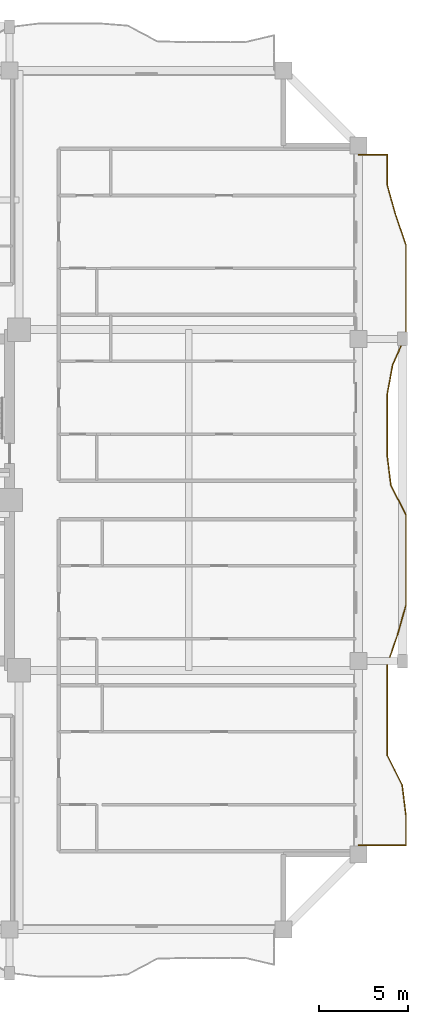
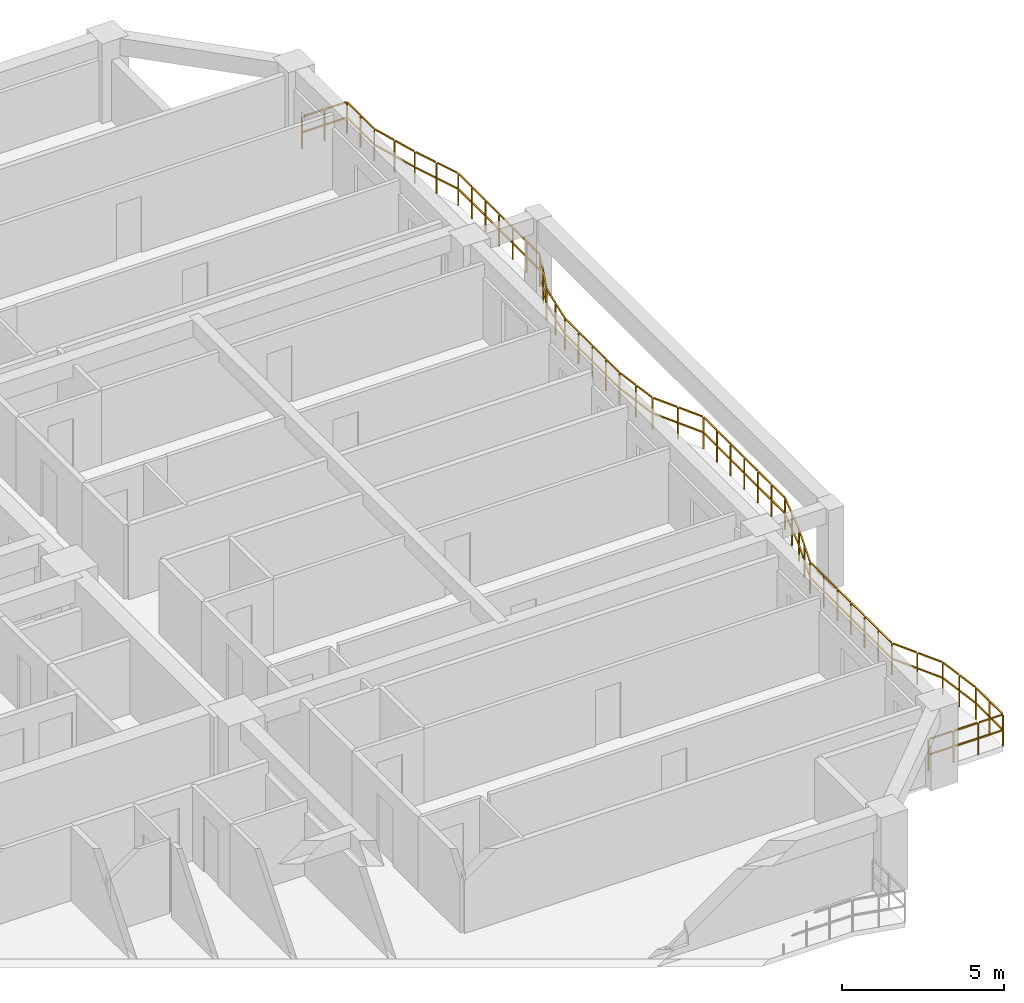
# One storey, part 11 of 12: 1 railing.
"""IFC4 building model written with IfcOpenShell, lengths in metres."""

from ifc_helpers import new_model, si_unit, direction, frame, origin, origin_2d, place, context, subcontext, project, spatial, rectangle, extrude, material, type_object, element, save


model = new_model("IFC4")

# Units and contexts
model_context = context("Model", 3, precision=1e-05, world=origin(), true_north=direction((0.0, 1.0)))
body_context = subcontext(model_context, "Body", "Model", "MODEL_VIEW")
ifc_project = project(units=[si_unit("LENGTHUNIT", "METRE"), si_unit("AREAUNIT", "SQUARE_METRE"), si_unit("VOLUMEUNIT", "CUBIC_METRE"), si_unit("PLANEANGLEUNIT", "RADIAN"), si_unit("MASSUNIT", "GRAM", prefix="KILO")], contexts=[model_context])

# Site, building, storey
site_placement = place(None, origin())
site = spatial("IfcSite", under=ifc_project, at=site_placement, CompositionType="ELEMENT")
building_placement = place(site_placement, origin())
building = spatial("IfcBuilding", under=site, at=building_placement, Name="Saelheon Loggia Tower", CompositionType="ELEMENT")
storey_placement = place(building_placement, frame((0.0, 0.0, 95.85009765625)))
storey = spatial("IfcBuildingStorey", under=building, at=storey_placement, Name="L30", CompositionType="ELEMENT", Elevation=95.85009765625)

# Railing
ifc_material = material(Name="Architectural Precast Concrete and Laminated Glass Guard", Category="concrete")
railing_type = type_object("IfcRailingType", Name="Guard_Loggia_RL_LOG", PredefinedType="BALUSTRADE", material=ifc_material)
railing_placement = place(storey_placement, frame((64.0, 7.699951171875, 0.0)))
element("IfcRailing", 1, at=railing_placement, inside=storey, type_object=railing_type, Name="L30 East Loggia Balustrade", PredefinedType="BALUSTRADE", context=body_context, shape_type="SweptSolid", body=[
    extrude(rectangle(XDim=0.048095703125, YDim=0.048095703125, at=origin_2d()), frame((0.033203125, 0.0, 1.19580078125), z_axis=(1.0, 0.0, 0.0), x_axis=(0.0, 1.0, 0.0)), (0.0, 0.0, 1.0), 0.81689453125),
    extrude(rectangle(XDim=0.048095703125, YDim=0.048095703125, at=origin_2d()), frame((0.033203125, 0.0, 0.60986328125), z_axis=(1.0, 0.0, 0.0), x_axis=(0.0, 1.0, 0.0)), (0.0, 0.0, 1.0), 0.81689453125),
    extrude(rectangle(XDim=0.048095703125, YDim=0.048095703125, at=origin_2d()), frame((0.91650390625, 0.0, 1.19580078125), z_axis=(1.0, 0.0, 0.0), x_axis=(0.0, 1.0, 0.0)), (0.0, 0.0, 1.0), 0.81689453125),
    extrude(rectangle(XDim=0.048095703125, YDim=0.048095703125, at=origin_2d()), frame((0.91650390625, 0.0, 0.60986328125), z_axis=(1.0, 0.0, 0.0), x_axis=(0.0, 1.0, 0.0)), (0.0, 0.0, 1.0), 0.81689453125),
    extrude(rectangle(XDim=0.048095703125, YDim=0.048095703125, at=origin_2d()), frame((1.7998046875, 0.0, 1.19580078125), z_axis=(1.0, 0.0, 0.0), x_axis=(0.0, 1.0, 0.0)), (0.0, 0.0, 1.0), 0.81689453125),
    extrude(rectangle(XDim=0.048095703125, YDim=0.048095703125, at=origin_2d()), frame((1.7998046875, 0.0, 0.60986328125), z_axis=(1.0, 0.0, 0.0), x_axis=(0.0, 1.0, 0.0)), (0.0, 0.0, 1.0), 0.81689453125),
    extrude(rectangle(XDim=0.048095703125, YDim=0.048095703125, at=origin_2d()), frame((2.64990234375, 0.033203125, 1.19580078125), z_axis=(0.0, 1.0, 0.0), x_axis=(-1.0, 0.0, 0.0)), (0.0, 0.0, 1.0), 0.772705078125),
    extrude(rectangle(XDim=0.048095703125, YDim=0.048095703125, at=origin_2d()), frame((2.64990234375, 0.033203125, 0.60986328125), z_axis=(0.0, 1.0, 0.0), x_axis=(-1.0, 0.0, 0.0)), (0.0, 0.0, 1.0), 0.772705078125),
    extrude(rectangle(XDim=0.048095703125, YDim=0.048095703125, at=origin_2d()), frame((2.64990234375, 0.87255859375, 1.19580078125), z_axis=(0.0, 1.0, 0.0), x_axis=(-1.0, 0.0, 0.0)), (0.0, 0.0, 1.0), 0.772705078125),
    extrude(rectangle(XDim=0.048095703125, YDim=0.048095703125, at=origin_2d()), frame((2.64990234375, 0.87255859375, 0.60986328125), z_axis=(0.0, 1.0, 0.0), x_axis=(-1.0, 0.0, 0.0)), (0.0, 0.0, 1.0), 0.772705078125),
    extrude(rectangle(XDim=0.048095703125, YDim=0.048095703125, at=origin_2d()), frame((2.645751953125, 1.71142578125, 1.19580078125), z_axis=(-0.122310580261, 0.992491875008, 0.0), x_axis=(-0.992491875008, -0.122310580261, 0.0)), (0.0, 0.0, 1.0), 0.77880859375),
    extrude(rectangle(XDim=0.048095703125, YDim=0.048095703125, at=origin_2d()), frame((2.645751953125, 1.71142578125, 0.60986328125), z_axis=(-0.122310580261, 0.992491875008, 0.0), x_axis=(-0.992491875008, -0.122310580261, 0.0)), (0.0, 0.0, 1.0), 0.77880859375),
    extrude(rectangle(XDim=0.048095703125, YDim=0.048095703125, at=origin_2d()), frame((2.54248046875, 2.550537109375, 1.19580078125), z_axis=(-0.122310580261, 0.992491875008, 0.0), x_axis=(-0.992491875008, -0.122310580261, 0.0)), (0.0, 0.0, 1.0), 0.77880859375),
    extrude(rectangle(XDim=0.048095703125, YDim=0.048095703125, at=origin_2d()), frame((2.54248046875, 2.550537109375, 0.60986328125), z_axis=(-0.122310580261, 0.992491875008, 0.0), x_axis=(-0.992491875008, -0.122310580261, 0.0)), (0.0, 0.0, 1.0), 0.77880859375),
    extrude(rectangle(XDim=0.048095703125, YDim=0.048095703125, at=origin_2d()), frame((2.42822265625, 3.38623046875, 1.19580078125), z_axis=(-0.448824634664, 0.893619856158, 0.0), x_axis=(-0.893619856158, -0.448824634664, 0.0)), (0.0, 0.0, 1.0), 0.87255859375),
    extrude(rectangle(XDim=0.048095703125, YDim=0.048095703125, at=origin_2d()), frame((2.42822265625, 3.38623046875, 0.60986328125), z_axis=(-0.448824634664, 0.893619856158, 0.0), x_axis=(-0.893619856158, -0.448824634664, 0.0)), (0.0, 0.0, 1.0), 0.87255859375),
    extrude(rectangle(XDim=0.048095703125, YDim=0.048095703125, at=origin_2d()), frame((2.006591796875, 4.225341796875, 1.19580078125), z_axis=(-0.448824634664, 0.893619856158, 0.0), x_axis=(-0.893619856158, -0.448824634664, 0.0)), (0.0, 0.0, 1.0), 0.87255859375),
    extrude(rectangle(XDim=0.048095703125, YDim=0.048095703125, at=origin_2d()), frame((2.006591796875, 4.225341796875, 0.60986328125), z_axis=(-0.448824634664, 0.893619856158, 0.0), x_axis=(-0.893619856158, -0.448824634664, 0.0)), (0.0, 0.0, 1.0), 0.87255859375),
    extrude(rectangle(XDim=0.048095703125, YDim=0.048095703125, at=origin_2d()), frame((1.60009765625, 5.068115234375, 1.19580078125), z_axis=(0.0, 1.0, 0.0), x_axis=(-1.0, 0.0, 0.0)), (0.0, 0.0, 1.0), 0.772705078125),
    extrude(rectangle(XDim=0.048095703125, YDim=0.048095703125, at=origin_2d()), frame((1.60009765625, 5.068115234375, 0.60986328125), z_axis=(0.0, 1.0, 0.0), x_axis=(-1.0, 0.0, 0.0)), (0.0, 0.0, 1.0), 0.772705078125),
    extrude(rectangle(XDim=0.048095703125, YDim=0.048095703125, at=origin_2d()), frame((1.60009765625, 5.9072265625, 1.19580078125), z_axis=(0.0, 1.0, 0.0), x_axis=(-1.0, 0.0, 0.0)), (0.0, 0.0, 1.0), 0.772705078125),
    extrude(rectangle(XDim=0.048095703125, YDim=0.048095703125, at=origin_2d()), frame((1.60009765625, 5.9072265625, 0.60986328125), z_axis=(0.0, 1.0, 0.0), x_axis=(-1.0, 0.0, 0.0)), (0.0, 0.0, 1.0), 0.772705078125),
    extrude(rectangle(XDim=0.048095703125, YDim=0.048095703125, at=origin_2d()), frame((1.60009765625, 6.746337890625, 1.19580078125), z_axis=(0.0, 1.0, 0.0), x_axis=(-1.0, 0.0, 0.0)), (0.0, 0.0, 1.0), 0.772705078125),
    extrude(rectangle(XDim=0.048095703125, YDim=0.048095703125, at=origin_2d()), frame((1.60009765625, 6.746337890625, 0.60986328125), z_axis=(0.0, 1.0, 0.0), x_axis=(-1.0, 0.0, 0.0)), (0.0, 0.0, 1.0), 0.772705078125),
    extrude(rectangle(XDim=0.048095703125, YDim=0.048095703125, at=origin_2d()), frame((1.60009765625, 7.58544921875, 1.19580078125), z_axis=(0.0, 1.0, 0.0), x_axis=(-1.0, 0.0, 0.0)), (0.0, 0.0, 1.0), 0.772705078125),
    extrude(rectangle(XDim=0.048095703125, YDim=0.048095703125, at=origin_2d()), frame((1.60009765625, 7.58544921875, 0.60986328125), z_axis=(0.0, 1.0, 0.0), x_axis=(-1.0, 0.0, 0.0)), (0.0, 0.0, 1.0), 0.772705078125),
    extrude(rectangle(XDim=0.048095703125, YDim=0.048095703125, at=origin_2d()), frame((1.60009765625, 8.424560546875, 1.19580078125), z_axis=(0.0, 1.0, 0.0), x_axis=(-1.0, 0.0, 0.0)), (0.0, 0.0, 1.0), 0.772705078125),
    extrude(rectangle(XDim=0.048095703125, YDim=0.048095703125, at=origin_2d()), frame((1.60009765625, 8.424560546875, 0.60986328125), z_axis=(0.0, 1.0, 0.0), x_axis=(-1.0, 0.0, 0.0)), (0.0, 0.0, 1.0), 0.772705078125),
    extrude(rectangle(XDim=0.048095703125, YDim=0.048095703125, at=origin_2d()), frame((1.60009765625, 9.263671875, 1.19580078125), z_axis=(0.0, 1.0, 0.0), x_axis=(-1.0, 0.0, 0.0)), (0.0, 0.0, 1.0), 0.772705078125),
    extrude(rectangle(XDim=0.048095703125, YDim=0.048095703125, at=origin_2d()), frame((1.60009765625, 9.263671875, 0.60986328125), z_axis=(0.0, 1.0, 0.0), x_axis=(-1.0, 0.0, 0.0)), (0.0, 0.0, 1.0), 0.772705078125),
    extrude(rectangle(XDim=0.048095703125, YDim=0.048095703125, at=origin_2d()), frame((1.61083984375, 10.10107421875, 1.19580078125), z_axis=(0.324595186359, 0.945853035621, 0.0), x_axis=(-0.945853035621, 0.324595186359, 0.0)), (0.0, 0.0, 1.0), 0.82080078125),
    extrude(rectangle(XDim=0.048095703125, YDim=0.048095703125, at=origin_2d()), frame((1.61083984375, 10.10107421875, 0.60986328125), z_axis=(0.324595186359, 0.945853035621, 0.0), x_axis=(-0.945853035621, 0.324595186359, 0.0)), (0.0, 0.0, 1.0), 0.82080078125),
    extrude(rectangle(XDim=0.048095703125, YDim=0.048095703125, at=origin_2d()), frame((1.89892578125, 10.940185546875, 1.19580078125), z_axis=(0.324595186359, 0.945853035621, 0.0), x_axis=(-0.945853035621, 0.324595186359, 0.0)), (0.0, 0.0, 1.0), 0.82080078125),
    extrude(rectangle(XDim=0.048095703125, YDim=0.048095703125, at=origin_2d()), frame((1.89892578125, 10.940185546875, 0.60986328125), z_axis=(0.324595186359, 0.945853035621, 0.0), x_axis=(-0.945853035621, 0.324595186359, 0.0)), (0.0, 0.0, 1.0), 0.82080078125),
    extrude(rectangle(XDim=0.048095703125, YDim=0.048095703125, at=origin_2d()), frame((2.18505859375, 11.77978515625, 1.19580078125), z_axis=(0.271706191311, 0.962380250007, 0.0), x_axis=(-0.962380250007, 0.271706191311, 0.0)), (0.0, 0.0, 1.0), 0.8056640625),
    extrude(rectangle(XDim=0.048095703125, YDim=0.048095703125, at=origin_2d()), frame((2.18505859375, 11.77978515625, 0.60986328125), z_axis=(0.271706191311, 0.962380250007, 0.0), x_axis=(-0.962380250007, 0.271706191311, 0.0)), (0.0, 0.0, 1.0), 0.8056640625),
    extrude(rectangle(XDim=0.048095703125, YDim=0.048095703125, at=origin_2d()), frame((2.421875, 12.619140625, 1.19580078125), z_axis=(0.271706191311, 0.962380250007, 0.0), x_axis=(-0.962380250007, 0.271706191311, 0.0)), (0.0, 0.0, 1.0), 0.8056640625),
    extrude(rectangle(XDim=0.048095703125, YDim=0.048095703125, at=origin_2d()), frame((2.421875, 12.619140625, 0.60986328125), z_axis=(0.271706191311, 0.962380250007, 0.0), x_axis=(-0.962380250007, 0.271706191311, 0.0)), (0.0, 0.0, 1.0), 0.8056640625),
    extrude(rectangle(XDim=0.048095703125, YDim=0.048095703125, at=origin_2d()), frame((2.64990234375, 13.45947265625, 1.19580078125), z_axis=(0.0, 1.0, 0.0), x_axis=(-1.0, 0.0, 0.0)), (0.0, 0.0, 1.0), 0.7724609375),
    extrude(rectangle(XDim=0.048095703125, YDim=0.048095703125, at=origin_2d()), frame((2.64990234375, 13.45947265625, 0.60986328125), z_axis=(0.0, 1.0, 0.0), x_axis=(-1.0, 0.0, 0.0)), (0.0, 0.0, 1.0), 0.7724609375),
    extrude(rectangle(XDim=0.048095703125, YDim=0.048095703125, at=origin_2d()), frame((2.64990234375, 14.298583984375, 1.19580078125), z_axis=(0.0, 1.0, 0.0), x_axis=(-1.0, 0.0, 0.0)), (0.0, 0.0, 1.0), 0.7724609375),
    extrude(rectangle(XDim=0.048095703125, YDim=0.048095703125, at=origin_2d()), frame((2.64990234375, 14.298583984375, 0.60986328125), z_axis=(0.0, 1.0, 0.0), x_axis=(-1.0, 0.0, 0.0)), (0.0, 0.0, 1.0), 0.7724609375),
    extrude(rectangle(XDim=0.048095703125, YDim=0.048095703125, at=origin_2d()), frame((2.64990234375, 15.137451171875, 1.19580078125), z_axis=(0.0, 1.0, 0.0), x_axis=(-1.0, 0.0, 0.0)), (0.0, 0.0, 1.0), 0.772705078125),
    extrude(rectangle(XDim=0.048095703125, YDim=0.048095703125, at=origin_2d()), frame((2.64990234375, 15.137451171875, 0.60986328125), z_axis=(0.0, 1.0, 0.0), x_axis=(-1.0, 0.0, 0.0)), (0.0, 0.0, 1.0), 0.772705078125),
    extrude(rectangle(XDim=0.048095703125, YDim=0.048095703125, at=origin_2d()), frame((2.64990234375, 15.976806640625, 1.19580078125), z_axis=(0.0, 1.0, 0.0), x_axis=(-1.0, 0.0, 0.0)), (0.0, 0.0, 1.0), 0.772705078125),
    extrude(rectangle(XDim=0.048095703125, YDim=0.048095703125, at=origin_2d()), frame((2.64990234375, 15.976806640625, 0.60986328125), z_axis=(0.0, 1.0, 0.0), x_axis=(-1.0, 0.0, 0.0)), (0.0, 0.0, 1.0), 0.772705078125),
    extrude(rectangle(XDim=0.048095703125, YDim=0.048095703125, at=origin_2d()), frame((2.64990234375, 16.81591796875, 1.19580078125), z_axis=(0.0, 1.0, 0.0), x_axis=(-1.0, 0.0, 0.0)), (0.0, 0.0, 1.0), 0.772705078125),
    extrude(rectangle(XDim=0.048095703125, YDim=0.048095703125, at=origin_2d()), frame((2.64990234375, 16.81591796875, 0.60986328125), z_axis=(0.0, 1.0, 0.0), x_axis=(-1.0, 0.0, 0.0)), (0.0, 0.0, 1.0), 0.772705078125),
    extrude(rectangle(XDim=0.048095703125, YDim=0.048095703125, at=origin_2d()), frame((2.64990234375, 17.655029296875, 1.19580078125), z_axis=(0.0, 1.0, 0.0), x_axis=(-1.0, 0.0, 0.0)), (0.0, 0.0, 1.0), 0.772705078125),
    extrude(rectangle(XDim=0.048095703125, YDim=0.048095703125, at=origin_2d()), frame((2.64990234375, 17.655029296875, 0.60986328125), z_axis=(0.0, 1.0, 0.0), x_axis=(-1.0, 0.0, 0.0)), (0.0, 0.0, 1.0), 0.772705078125),
    extrude(rectangle(XDim=0.048095703125, YDim=0.048095703125, at=origin_2d()), frame((2.635009765625, 18.49072265625, 1.19580078125), z_axis=(-0.449084342629, 0.893489369386, 0.0), x_axis=(-0.893489369386, -0.449084342629, 0.0)), (0.0, 0.0, 1.0), 0.87255859375),
    extrude(rectangle(XDim=0.048095703125, YDim=0.048095703125, at=origin_2d()), frame((2.635009765625, 18.49072265625, 0.60986328125), z_axis=(-0.449084342629, 0.893489369386, 0.0), x_axis=(-0.893489369386, -0.449084342629, 0.0)), (0.0, 0.0, 1.0), 0.87255859375),
    extrude(rectangle(XDim=0.048095703125, YDim=0.048095703125, at=origin_2d()), frame((2.213134765625, 19.329833984375, 1.19580078125), z_axis=(-0.449084342629, 0.893489369386, 0.0), x_axis=(-0.893489369386, -0.449084342629, 0.0)), (0.0, 0.0, 1.0), 0.87255859375),
    extrude(rectangle(XDim=0.048095703125, YDim=0.048095703125, at=origin_2d()), frame((2.213134765625, 19.329833984375, 0.60986328125), z_axis=(-0.449084342629, 0.893489369386, 0.0), x_axis=(-0.893489369386, -0.449084342629, 0.0)), (0.0, 0.0, 1.0), 0.87255859375),
    extrude(rectangle(XDim=0.048095703125, YDim=0.048095703125, at=origin_2d()), frame((1.80224609375, 20.172119140625, 1.19580078125), z_axis=(-0.122008589262, 0.992529044485, 0.0), x_axis=(-0.992529044485, -0.122008589262, 0.0)), (0.0, 0.0, 1.0), 0.779052734375),
    extrude(rectangle(XDim=0.048095703125, YDim=0.048095703125, at=origin_2d()), frame((1.80224609375, 20.172119140625, 0.60986328125), z_axis=(-0.122008589262, 0.992529044485, 0.0), x_axis=(-0.992529044485, -0.122008589262, 0.0)), (0.0, 0.0, 1.0), 0.779052734375),
    extrude(rectangle(XDim=0.048095703125, YDim=0.048095703125, at=origin_2d()), frame((1.69921875, 21.01123046875, 1.19580078125), z_axis=(-0.122008589262, 0.992529044485, 0.0), x_axis=(-0.992529044485, -0.122008589262, 0.0)), (0.0, 0.0, 1.0), 0.779052734375),
    extrude(rectangle(XDim=0.048095703125, YDim=0.048095703125, at=origin_2d()), frame((1.69921875, 21.01123046875, 0.60986328125), z_axis=(-0.122008589262, 0.992529044485, 0.0), x_axis=(-0.992529044485, -0.122008589262, 0.0)), (0.0, 0.0, 1.0), 0.779052734375),
    extrude(rectangle(XDim=0.048095703125, YDim=0.048095703125, at=origin_2d()), frame((1.60009765625, 21.8505859375, 1.19580078125), z_axis=(0.0, 1.0, 0.0), x_axis=(-1.0, 0.0, 0.0)), (0.0, 0.0, 1.0), 0.772705078125),
    extrude(rectangle(XDim=0.048095703125, YDim=0.048095703125, at=origin_2d()), frame((1.60009765625, 21.8505859375, 0.60986328125), z_axis=(0.0, 1.0, 0.0), x_axis=(-1.0, 0.0, 0.0)), (0.0, 0.0, 1.0), 0.772705078125),
    extrude(rectangle(XDim=0.048095703125, YDim=0.048095703125, at=origin_2d()), frame((1.60009765625, 22.68994140625, 1.19580078125), z_axis=(0.0, 1.0, 0.0), x_axis=(-1.0, 0.0, 0.0)), (0.0, 0.0, 1.0), 0.772705078125),
    extrude(rectangle(XDim=0.048095703125, YDim=0.048095703125, at=origin_2d()), frame((1.60009765625, 22.68994140625, 0.60986328125), z_axis=(0.0, 1.0, 0.0), x_axis=(-1.0, 0.0, 0.0)), (0.0, 0.0, 1.0), 0.772705078125),
    extrude(rectangle(XDim=0.048095703125, YDim=0.048095703125, at=origin_2d()), frame((1.60009765625, 23.529052734375, 1.19580078125), z_axis=(0.0, 1.0, 0.0), x_axis=(-1.0, 0.0, 0.0)), (0.0, 0.0, 1.0), 0.7724609375),
    extrude(rectangle(XDim=0.048095703125, YDim=0.048095703125, at=origin_2d()), frame((1.60009765625, 23.529052734375, 0.60986328125), z_axis=(0.0, 1.0, 0.0), x_axis=(-1.0, 0.0, 0.0)), (0.0, 0.0, 1.0), 0.7724609375),
    extrude(rectangle(XDim=0.048095703125, YDim=0.048095703125, at=origin_2d()), frame((1.60009765625, 24.3681640625, 1.19580078125), z_axis=(0.0, 1.0, 0.0), x_axis=(-1.0, 0.0, 0.0)), (0.0, 0.0, 1.0), 0.7724609375),
    extrude(rectangle(XDim=0.048095703125, YDim=0.048095703125, at=origin_2d()), frame((1.60009765625, 24.3681640625, 0.60986328125), z_axis=(0.0, 1.0, 0.0), x_axis=(-1.0, 0.0, 0.0)), (0.0, 0.0, 1.0), 0.7724609375),
    extrude(rectangle(XDim=0.048095703125, YDim=0.048095703125, at=origin_2d()), frame((1.606201171875, 25.20654296875, 1.19580078125), z_axis=(0.180270193892, 0.983617129372, 0.0), x_axis=(-0.983617129372, 0.180270193892, 0.0)), (0.0, 0.0, 1.0), 0.78662109375),
    extrude(rectangle(XDim=0.048095703125, YDim=0.048095703125, at=origin_2d()), frame((1.606201171875, 25.20654296875, 0.60986328125), z_axis=(0.180270193892, 0.983617129372, 0.0), x_axis=(-0.983617129372, 0.180270193892, 0.0)), (0.0, 0.0, 1.0), 0.78662109375),
    extrude(rectangle(XDim=0.048095703125, YDim=0.048095703125, at=origin_2d()), frame((1.760009765625, 26.045654296875, 1.19580078125), z_axis=(0.180270193892, 0.983617129372, 0.0), x_axis=(-0.983617129372, 0.180270193892, 0.0)), (0.0, 0.0, 1.0), 0.78662109375),
    extrude(rectangle(XDim=0.048095703125, YDim=0.048095703125, at=origin_2d()), frame((1.760009765625, 26.045654296875, 0.60986328125), z_axis=(0.180270193892, 0.983617129372, 0.0), x_axis=(-0.983617129372, 0.180270193892, 0.0)), (0.0, 0.0, 1.0), 0.78662109375),
    extrude(rectangle(XDim=0.048095703125, YDim=0.048095703125, at=origin_2d()), frame((1.921142578125, 26.882568359375, 1.19580078125), z_axis=(0.404458935898, 0.91455615966, 0.0), x_axis=(-0.91455615966, 0.404458935898, 0.0)), (0.0, 0.0, 1.0), 0.85107421875),
    extrude(rectangle(XDim=0.048095703125, YDim=0.048095703125, at=origin_2d()), frame((1.921142578125, 26.882568359375, 0.60986328125), z_axis=(0.404458935898, 0.91455615966, 0.0), x_axis=(-0.91455615966, 0.404458935898, 0.0)), (0.0, 0.0, 1.0), 0.85107421875),
    extrude(rectangle(XDim=0.048095703125, YDim=0.048095703125, at=origin_2d()), frame((2.292236328125, 27.7216796875, 1.19580078125), z_axis=(0.404458935898, 0.91455615966, 0.0), x_axis=(-0.91455615966, 0.404458935898, 0.0)), (0.0, 0.0, 1.0), 0.85107421875),
    extrude(rectangle(XDim=0.048095703125, YDim=0.048095703125, at=origin_2d()), frame((2.292236328125, 27.7216796875, 0.60986328125), z_axis=(0.404458935898, 0.91455615966, 0.0), x_axis=(-0.91455615966, 0.404458935898, 0.0)), (0.0, 0.0, 1.0), 0.85107421875),
    extrude(rectangle(XDim=0.048095703125, YDim=0.048095703125, at=origin_2d()), frame((2.64990234375, 28.563720703125, 1.19580078125), z_axis=(0.0, 1.0, 0.0), x_axis=(-1.0, 0.0, 0.0)), (0.0, 0.0, 1.0), 0.772705078125),
    extrude(rectangle(XDim=0.048095703125, YDim=0.048095703125, at=origin_2d()), frame((2.64990234375, 28.563720703125, 0.60986328125), z_axis=(0.0, 1.0, 0.0), x_axis=(-1.0, 0.0, 0.0)), (0.0, 0.0, 1.0), 0.772705078125),
    extrude(rectangle(XDim=0.048095703125, YDim=0.048095703125, at=origin_2d()), frame((2.64990234375, 29.40283203125, 1.19580078125), z_axis=(0.0, 1.0, 0.0), x_axis=(-1.0, 0.0, 0.0)), (0.0, 0.0, 1.0), 0.772705078125),
    extrude(rectangle(XDim=0.048095703125, YDim=0.048095703125, at=origin_2d()), frame((2.64990234375, 29.40283203125, 0.60986328125), z_axis=(0.0, 1.0, 0.0), x_axis=(-1.0, 0.0, 0.0)), (0.0, 0.0, 1.0), 0.772705078125),
    extrude(rectangle(XDim=0.048095703125, YDim=0.048095703125, at=origin_2d()), frame((2.64990234375, 30.241943359375, 1.19580078125), z_axis=(0.0, 1.0, 0.0), x_axis=(-1.0, 0.0, 0.0)), (0.0, 0.0, 1.0), 0.772705078125),
    extrude(rectangle(XDim=0.048095703125, YDim=0.048095703125, at=origin_2d()), frame((2.64990234375, 30.241943359375, 0.60986328125), z_axis=(0.0, 1.0, 0.0), x_axis=(-1.0, 0.0, 0.0)), (0.0, 0.0, 1.0), 0.772705078125),
    extrude(rectangle(XDim=0.048095703125, YDim=0.048095703125, at=origin_2d()), frame((2.64990234375, 31.0810546875, 1.19580078125), z_axis=(0.0, 1.0, 0.0), x_axis=(-1.0, 0.0, 0.0)), (0.0, 0.0, 1.0), 0.772705078125),
    extrude(rectangle(XDim=0.048095703125, YDim=0.048095703125, at=origin_2d()), frame((2.64990234375, 31.0810546875, 0.60986328125), z_axis=(0.0, 1.0, 0.0), x_axis=(-1.0, 0.0, 0.0)), (0.0, 0.0, 1.0), 0.772705078125),
    extrude(rectangle(XDim=0.048095703125, YDim=0.048095703125, at=origin_2d()), frame((2.64990234375, 31.920166015625, 1.19580078125), z_axis=(0.0, 1.0, 0.0), x_axis=(-1.0, 0.0, 0.0)), (0.0, 0.0, 1.0), 0.772705078125),
    extrude(rectangle(XDim=0.048095703125, YDim=0.048095703125, at=origin_2d()), frame((2.64990234375, 31.920166015625, 0.60986328125), z_axis=(0.0, 1.0, 0.0), x_axis=(-1.0, 0.0, 0.0)), (0.0, 0.0, 1.0), 0.772705078125),
    extrude(rectangle(XDim=0.048095703125, YDim=0.048095703125, at=origin_2d()), frame((2.64990234375, 32.75927734375, 1.19580078125), z_axis=(0.0, 1.0, 0.0), x_axis=(-1.0, 0.0, 0.0)), (0.0, 0.0, 1.0), 0.772705078125),
    extrude(rectangle(XDim=0.048095703125, YDim=0.048095703125, at=origin_2d()), frame((2.64990234375, 32.75927734375, 0.60986328125), z_axis=(0.0, 1.0, 0.0), x_axis=(-1.0, 0.0, 0.0)), (0.0, 0.0, 1.0), 0.772705078125),
    extrude(rectangle(XDim=0.048095703125, YDim=0.048095703125, at=origin_2d()), frame((2.63916015625, 33.5966796875, 1.19580078125), z_axis=(-0.32553712792, 0.945529258323, 0.0), x_axis=(-0.945529258323, -0.32553712792, 0.0)), (0.0, 0.0, 1.0), 0.821044921875),
    extrude(rectangle(XDim=0.048095703125, YDim=0.048095703125, at=origin_2d()), frame((2.63916015625, 33.5966796875, 0.60986328125), z_axis=(-0.32553712792, 0.945529258323, 0.0), x_axis=(-0.945529258323, -0.32553712792, 0.0)), (0.0, 0.0, 1.0), 0.821044921875),
    extrude(rectangle(XDim=0.048095703125, YDim=0.048095703125, at=origin_2d()), frame((2.35009765625, 34.435791015625, 1.19580078125), z_axis=(-0.32553712792, 0.945529258323, 0.0), x_axis=(-0.945529258323, -0.32553712792, 0.0)), (0.0, 0.0, 1.0), 0.821044921875),
    extrude(rectangle(XDim=0.048095703125, YDim=0.048095703125, at=origin_2d()), frame((2.35009765625, 34.435791015625, 0.60986328125), z_axis=(-0.32553712792, 0.945529258323, 0.0), x_axis=(-0.945529258323, -0.32553712792, 0.0)), (0.0, 0.0, 1.0), 0.821044921875),
    extrude(rectangle(XDim=0.048095703125, YDim=0.048095703125, at=origin_2d()), frame((2.06298828125, 35.275634765625, 1.19580078125), z_axis=(-0.270741520797, 0.962652080929, 0.0), x_axis=(-0.962652080929, -0.270741520797, 0.0)), (0.0, 0.0, 1.0), 0.80517578125),
    extrude(rectangle(XDim=0.048095703125, YDim=0.048095703125, at=origin_2d()), frame((2.06298828125, 35.275634765625, 0.60986328125), z_axis=(-0.270741520797, 0.962652080929, 0.0), x_axis=(-0.962652080929, -0.270741520797, 0.0)), (0.0, 0.0, 1.0), 0.80517578125),
    extrude(rectangle(XDim=0.048095703125, YDim=0.048095703125, at=origin_2d()), frame((1.8271484375, 36.11474609375, 1.19580078125), z_axis=(-0.270741520797, 0.962652080929, 0.0), x_axis=(-0.962652080929, -0.270741520797, 0.0)), (0.0, 0.0, 1.0), 0.80517578125),
    extrude(rectangle(XDim=0.048095703125, YDim=0.048095703125, at=origin_2d()), frame((1.8271484375, 36.11474609375, 0.60986328125), z_axis=(-0.270741520797, 0.962652080929, 0.0), x_axis=(-0.962652080929, -0.270741520797, 0.0)), (0.0, 0.0, 1.0), 0.80517578125),
    extrude(rectangle(XDim=0.048095703125, YDim=0.048095703125, at=origin_2d()), frame((1.60009765625, 36.954833984375, 1.19580078125), z_axis=(0.0, 1.0, 0.0), x_axis=(-1.0, 0.0, 0.0)), (0.0, 0.0, 1.0), 0.772705078125),
    extrude(rectangle(XDim=0.048095703125, YDim=0.048095703125, at=origin_2d()), frame((1.60009765625, 36.954833984375, 0.60986328125), z_axis=(0.0, 1.0, 0.0), x_axis=(-1.0, 0.0, 0.0)), (0.0, 0.0, 1.0), 0.772705078125),
    extrude(rectangle(XDim=0.048095703125, YDim=0.048095703125, at=origin_2d()), frame((1.60009765625, 37.794189453125, 1.19580078125), z_axis=(0.0, 1.0, 0.0), x_axis=(-1.0, 0.0, 0.0)), (0.0, 0.0, 1.0), 0.772705078125),
    extrude(rectangle(XDim=0.048095703125, YDim=0.048095703125, at=origin_2d()), frame((1.60009765625, 37.794189453125, 0.60986328125), z_axis=(0.0, 1.0, 0.0), x_axis=(-1.0, 0.0, 0.0)), (0.0, 0.0, 1.0), 0.772705078125),
    extrude(rectangle(XDim=0.048095703125, YDim=0.048095703125, at=origin_2d()), frame((1.56689453125, 38.60009765625, 1.19580078125), z_axis=(-1.0, 0.0, 0.0), x_axis=(0.0, -1.0, 0.0)), (0.0, 0.0, 1.0), 0.733642578125),
    extrude(rectangle(XDim=0.048095703125, YDim=0.048095703125, at=origin_2d()), frame((1.56689453125, 38.60009765625, 0.60986328125), z_axis=(-1.0, 0.0, 0.0), x_axis=(0.0, -1.0, 0.0)), (0.0, 0.0, 1.0), 0.733642578125),
    extrude(rectangle(XDim=0.048095703125, YDim=0.048095703125, at=origin_2d()), frame((0.766845703125, 38.60009765625, 1.19580078125), z_axis=(-1.0, 0.0, 0.0), x_axis=(0.0, -1.0, 0.0)), (0.0, 0.0, 1.0), 0.733642578125),
    extrude(rectangle(XDim=0.048095703125, YDim=0.048095703125, at=origin_2d()), frame((0.766845703125, 38.60009765625, 0.60986328125), z_axis=(-1.0, 0.0, 0.0), x_axis=(0.0, -1.0, 0.0)), (0.0, 0.0, 1.0), 0.733642578125),
    extrude(rectangle(XDim=0.0419921875, YDim=0.0419921875, at=origin_2d()), origin(), (0.0, 0.0, 1.0), 1.16796875),
    extrude(rectangle(XDim=0.0419921875, YDim=0.0419921875, at=origin_2d()), frame((0.88330078125, 0.0, 0.0)), (0.0, 0.0, 1.0), 1.16796875),
    extrude(rectangle(XDim=0.0419921875, YDim=0.0419921875, at=origin_2d()), frame((1.7666015625, 0.0, 0.0)), (0.0, 0.0, 1.0), 1.16796875),
    extrude(rectangle(XDim=0.0419921875, YDim=0.0419921875, at=origin_2d()), frame((2.64990234375, 0.0, 0.0)), (0.0, 0.0, 1.0), 1.16796875),
    extrude(rectangle(XDim=0.0419921875, YDim=0.0419921875, at=origin_2d()), frame((2.64990234375, 0.83935546875, 0.0)), (0.0, 0.0, 1.0), 1.16796875),
    extrude(rectangle(XDim=0.0419921875, YDim=0.0419921875, at=origin_2d()), frame((2.64990234375, 1.678466796875, 0.0)), (0.0, 0.0, 1.0), 1.16796875),
    extrude(rectangle(XDim=0.0419921875, YDim=0.0419921875, at=origin_2d()), frame((2.54638671875, 2.517578125, 0.0)), (0.0, 0.0, 1.0), 1.16796875),
    extrude(rectangle(XDim=0.0419921875, YDim=0.0419921875, at=origin_2d()), frame((2.443115234375, 3.3564453125, 0.0)), (0.0, 0.0, 1.0), 1.16796875),
    extrude(rectangle(XDim=0.0419921875, YDim=0.0419921875, at=origin_2d()), frame((2.021484375, 4.19580078125, 0.0)), (0.0, 0.0, 1.0), 1.16796875),
    extrude(rectangle(XDim=0.0419921875, YDim=0.0419921875, at=origin_2d()), frame((1.60009765625, 5.034912109375, 0.0)), (0.0, 0.0, 1.0), 1.16796875),
    extrude(rectangle(XDim=0.0419921875, YDim=0.0419921875, at=origin_2d()), frame((1.60009765625, 5.8740234375, 0.0)), (0.0, 0.0, 1.0), 1.16796875),
    extrude(rectangle(XDim=0.0419921875, YDim=0.0419921875, at=origin_2d()), frame((1.60009765625, 6.713134765625, 0.0)), (0.0, 0.0, 1.0), 1.16796875),
    extrude(rectangle(XDim=0.0419921875, YDim=0.0419921875, at=origin_2d()), frame((1.60009765625, 7.55224609375, 0.0)), (0.0, 0.0, 1.0), 1.16796875),
    extrude(rectangle(XDim=0.0419921875, YDim=0.0419921875, at=origin_2d()), frame((1.60009765625, 8.391357421875, 0.0)), (0.0, 0.0, 1.0), 1.16796875),
    extrude(rectangle(XDim=0.0419921875, YDim=0.0419921875, at=origin_2d()), frame((1.60009765625, 9.23046875, 0.0)), (0.0, 0.0, 1.0), 1.16796875),
    extrude(rectangle(XDim=0.0419921875, YDim=0.0419921875, at=origin_2d()), frame((1.60009765625, 10.069580078125, 0.0)), (0.0, 0.0, 1.0), 1.16796875),
    extrude(rectangle(XDim=0.0419921875, YDim=0.0419921875, at=origin_2d()), frame((1.88818359375, 10.90869140625, 0.0)), (0.0, 0.0, 1.0), 1.16796875),
    extrude(rectangle(XDim=0.0419921875, YDim=0.0419921875, at=origin_2d()), frame((2.176025390625, 11.747802734375, 0.0)), (0.0, 0.0, 1.0), 1.16796875),
    extrude(rectangle(XDim=0.0419921875, YDim=0.0419921875, at=origin_2d()), frame((2.4130859375, 12.5869140625, 0.0)), (0.0, 0.0, 1.0), 1.16796875),
    extrude(rectangle(XDim=0.0419921875, YDim=0.0419921875, at=origin_2d()), frame((2.64990234375, 13.42626953125, 0.0)), (0.0, 0.0, 1.0), 1.16796875),
    extrude(rectangle(XDim=0.0419921875, YDim=0.0419921875, at=origin_2d()), frame((2.64990234375, 14.26513671875, 0.0)), (0.0, 0.0, 1.0), 1.16796875),
    extrude(rectangle(XDim=0.0419921875, YDim=0.0419921875, at=origin_2d()), frame((2.64990234375, 15.104248046875, 0.0)), (0.0, 0.0, 1.0), 1.16796875),
    extrude(rectangle(XDim=0.0419921875, YDim=0.0419921875, at=origin_2d()), frame((2.64990234375, 15.943359375, 0.0)), (0.0, 0.0, 1.0), 1.16796875),
    extrude(rectangle(XDim=0.0419921875, YDim=0.0419921875, at=origin_2d()), frame((2.64990234375, 16.78271484375, 0.0)), (0.0, 0.0, 1.0), 1.16796875),
    extrude(rectangle(XDim=0.0419921875, YDim=0.0419921875, at=origin_2d()), frame((2.64990234375, 17.621826171875, 0.0)), (0.0, 0.0, 1.0), 1.16796875),
    extrude(rectangle(XDim=0.0419921875, YDim=0.0419921875, at=origin_2d()), frame((2.64990234375, 18.4609375, 0.0)), (0.0, 0.0, 1.0), 1.16796875),
    extrude(rectangle(XDim=0.0419921875, YDim=0.0419921875, at=origin_2d()), frame((2.22802734375, 19.300048828125, 0.0)), (0.0, 0.0, 1.0), 1.16796875),
    extrude(rectangle(XDim=0.0419921875, YDim=0.0419921875, at=origin_2d()), frame((1.806396484375, 20.13916015625, 0.0)), (0.0, 0.0, 1.0), 1.16796875),
    extrude(rectangle(XDim=0.0419921875, YDim=0.0419921875, at=origin_2d()), frame((1.703125, 20.978271484375, 0.0)), (0.0, 0.0, 1.0), 1.16796875),
    extrude(rectangle(XDim=0.0419921875, YDim=0.0419921875, at=origin_2d()), frame((1.60009765625, 21.8173828125, 0.0)), (0.0, 0.0, 1.0), 1.16796875),
    extrude(rectangle(XDim=0.0419921875, YDim=0.0419921875, at=origin_2d()), frame((1.60009765625, 22.65673828125, 0.0)), (0.0, 0.0, 1.0), 1.16796875),
    extrude(rectangle(XDim=0.0419921875, YDim=0.0419921875, at=origin_2d()), frame((1.60009765625, 23.495849609375, 0.0)), (0.0, 0.0, 1.0), 1.16796875),
    extrude(rectangle(XDim=0.0419921875, YDim=0.0419921875, at=origin_2d()), frame((1.60009765625, 24.3349609375, 0.0)), (0.0, 0.0, 1.0), 1.16796875),
    extrude(rectangle(XDim=0.0419921875, YDim=0.0419921875, at=origin_2d()), frame((1.60009765625, 25.173828125, 0.0)), (0.0, 0.0, 1.0), 1.16796875),
    extrude(rectangle(XDim=0.0419921875, YDim=0.0419921875, at=origin_2d()), frame((1.75390625, 26.01318359375, 0.0)), (0.0, 0.0, 1.0), 1.16796875),
    extrude(rectangle(XDim=0.0419921875, YDim=0.0419921875, at=origin_2d()), frame((1.90771484375, 26.852294921875, 0.0)), (0.0, 0.0, 1.0), 1.16796875),
    extrude(rectangle(XDim=0.0419921875, YDim=0.0419921875, at=origin_2d()), frame((2.27880859375, 27.69140625, 0.0)), (0.0, 0.0, 1.0), 1.16796875),
    extrude(rectangle(XDim=0.0419921875, YDim=0.0419921875, at=origin_2d()), frame((2.64990234375, 28.530517578125, 0.0)), (0.0, 0.0, 1.0), 1.16796875),
    extrude(rectangle(XDim=0.0419921875, YDim=0.0419921875, at=origin_2d()), frame((2.64990234375, 29.36962890625, 0.0)), (0.0, 0.0, 1.0), 1.16796875),
    extrude(rectangle(XDim=0.0419921875, YDim=0.0419921875, at=origin_2d()), frame((2.64990234375, 30.208740234375, 0.0)), (0.0, 0.0, 1.0), 1.16796875),
    extrude(rectangle(XDim=0.0419921875, YDim=0.0419921875, at=origin_2d()), frame((2.64990234375, 31.0478515625, 0.0)), (0.0, 0.0, 1.0), 1.16796875),
    extrude(rectangle(XDim=0.0419921875, YDim=0.0419921875, at=origin_2d()), frame((2.64990234375, 31.886962890625, 0.0)), (0.0, 0.0, 1.0), 1.16796875),
    extrude(rectangle(XDim=0.0419921875, YDim=0.0419921875, at=origin_2d()), frame((2.64990234375, 32.72607421875, 0.0)), (0.0, 0.0, 1.0), 1.16796875),
    extrude(rectangle(XDim=0.0419921875, YDim=0.0419921875, at=origin_2d()), frame((2.64990234375, 33.565185546875, 0.0)), (0.0, 0.0, 1.0), 1.16796875),
    extrude(rectangle(XDim=0.0419921875, YDim=0.0419921875, at=origin_2d()), frame((2.36083984375, 34.404296875, 0.0)), (0.0, 0.0, 1.0), 1.16796875),
    extrude(rectangle(XDim=0.0419921875, YDim=0.0419921875, at=origin_2d()), frame((2.072021484375, 35.24365234375, 0.0)), (0.0, 0.0, 1.0), 1.16796875),
    extrude(rectangle(XDim=0.0419921875, YDim=0.0419921875, at=origin_2d()), frame((1.8359375, 36.08251953125, 0.0)), (0.0, 0.0, 1.0), 1.16796875),
    extrude(rectangle(XDim=0.0419921875, YDim=0.0419921875, at=origin_2d()), frame((1.60009765625, 36.921630859375, 0.0)), (0.0, 0.0, 1.0), 1.16796875),
    extrude(rectangle(XDim=0.0419921875, YDim=0.0419921875, at=origin_2d()), frame((1.60009765625, 37.7607421875, 0.0)), (0.0, 0.0, 1.0), 1.16796875),
    extrude(rectangle(XDim=0.0419921875, YDim=0.0419921875, at=origin_2d()), frame((1.60009765625, 38.60009765625, 0.0)), (0.0, 0.0, 1.0), 1.16796875),
    extrude(rectangle(XDim=0.0419921875, YDim=0.0419921875, at=origin_2d()), frame((0.800048828125, 38.60009765625, 0.0)), (0.0, 0.0, 1.0), 1.16796875),
    extrude(rectangle(XDim=0.0419921875, YDim=0.0419921875, at=origin_2d()), frame((0.0, 38.60009765625, 0.0)), (0.0, 0.0, 1.0), 1.16796875),
])

save(model, "model.ifc")
